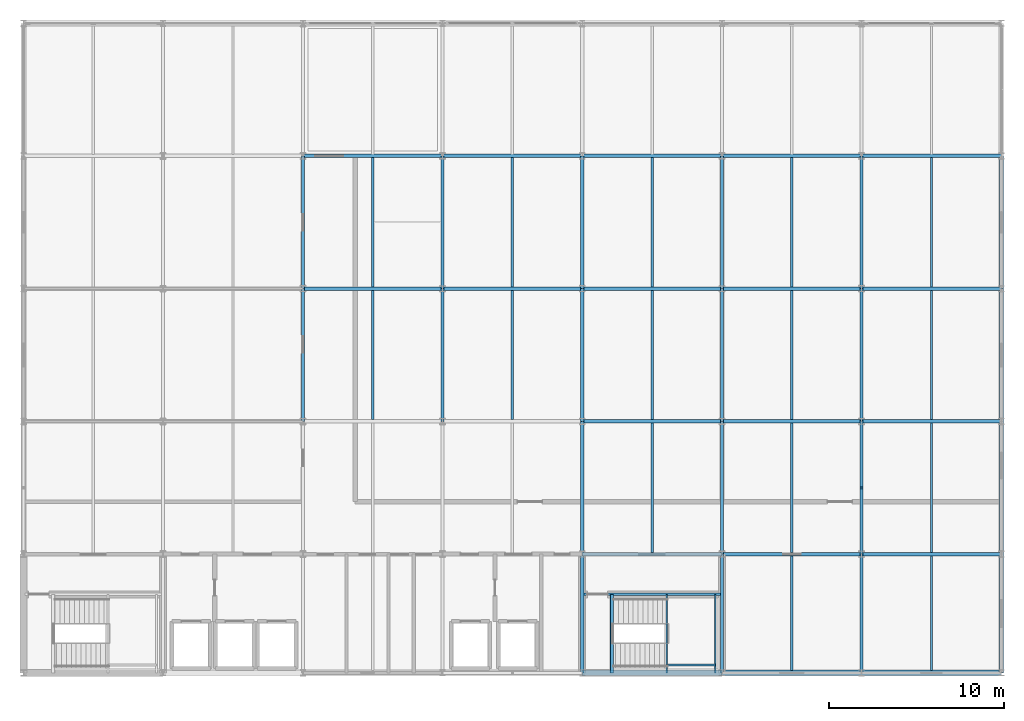
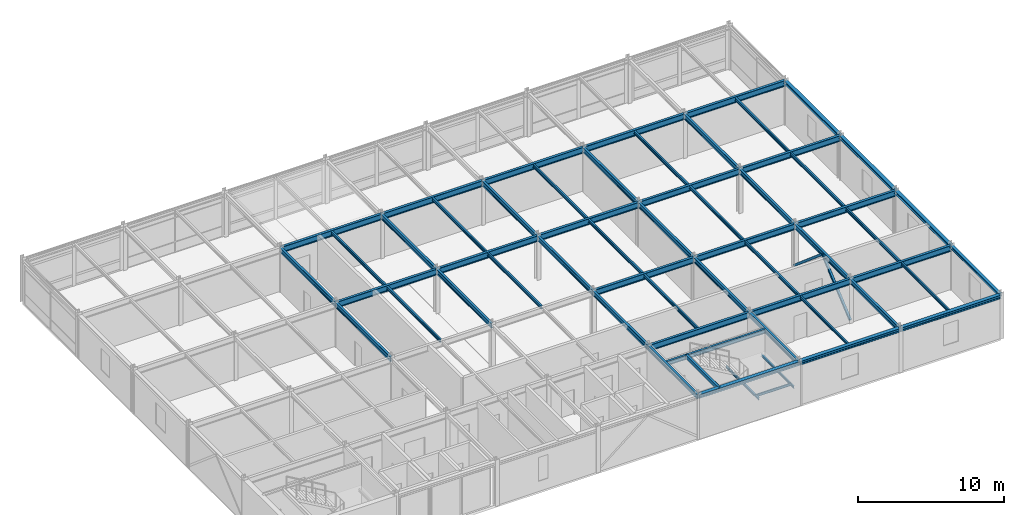
# One storey, part 6 of 16: 59 beams, 2 members.
"""IFC4 building model written with IfcOpenShell, lengths in metres."""

from ifc_helpers import new_model, si_unit, direction, frame, origin, origin_2d, place, context, subcontext, project, spatial, hollow_rectangle, i_section, extrude, material, material_profile, profile_set, type_object, element, save


model = new_model("IFC4")

# Units and contexts
model_context = context("Model", 3, precision=1e-05, world=origin(), true_north=direction((0.0, 1.0)))
body_context = subcontext(model_context, "Body", "Model", "MODEL_VIEW")
ifc_project = project(units=[si_unit("LENGTHUNIT", "METRE"), si_unit("AREAUNIT", "SQUARE_METRE"), si_unit("VOLUMEUNIT", "CUBIC_METRE"), si_unit("PLANEANGLEUNIT", "RADIAN"), si_unit("MASSUNIT", "GRAM", prefix="KILO")], contexts=[model_context])

# Site, building, storey
site_placement = place(None, origin())
site = spatial("IfcSite", under=ifc_project, at=site_placement, CompositionType="ELEMENT")
building_placement = place(site_placement, origin())
building = spatial("IfcBuilding", under=site, at=building_placement, Name="Shalkamar Park Central Library", CompositionType="ELEMENT")
storey_placement = place(building_placement, frame((0.0, 0.0, 43.800048828125)))
storey = spatial("IfcBuildingStorey", under=building, at=storey_placement, Name="L11", CompositionType="ELEMENT", Elevation=43.800048828125)

# Beams
ifc_material = material(Name="Steel S355", Category="steel")
ifc_material_profile_1 = material_profile(ifc_material, i_section(OverallWidth=0.10009765625, OverallDepth=0.199951171875, WebThickness=0.005615234375, FlangeThickness=0.008544921875, FilletRadius=0.011962890625, at=origin_2d()), Name="IPE 200")
ifc_profile_set_1 = profile_set([ifc_material_profile_1], Name="Steel S355")
beam_type_1 = type_object("IfcBeamType", Name="Composite Floor Joist IPE200", PredefinedType="JOIST", material=ifc_profile_set_1)
for number, where, z_axis, x_axis, name in (
    (1, (201.840087890625, 248.39990234375, 1.570068359375), (0.0, 1.0, 0.0), (-1.0, 0.0, 0.0), "Stair Half-Landing Beam ST-T2-L11-1"),
    (2, (204.6201171875, 248.39990234375, 1.570068359375), (0.0, 1.0, 0.0), (-1.0, 0.0, 0.0), "Stair Half-Landing Beam ST-T2-L11-2"),
):
    element("IfcBeam", number, at=place(storey_placement, frame(where, z_axis=z_axis, x_axis=x_axis)), inside=storey, type_object=beam_type_1, Name=name, PredefinedType="JOIST", context=body_context, shape_type="SweptSolid", body=[
        extrude(i_section(OverallWidth=0.10009765625, OverallDepth=0.199951171875, WebThickness=0.005615234375, FlangeThickness=0.008544921875, FilletRadius=0.011962890625, at=origin_2d()), origin(), (0.0, 0.0, 1.0), 4.5),
    ])
beam_1_placement = place(storey_placement, frame((201.840087890625, 248.85009765625, 1.570068359375), z_axis=(1.0, 0.0, 0.0), x_axis=(0.0, 1.0, 0.0)))
element("IfcBeam", 3, at=beam_1_placement, inside=storey, type_object=beam_type_1, Name="Stair Half-Landing Cross Tie ST-T2-L11-3", PredefinedType="JOIST", context=body_context, shape_type="SweptSolid", body=[
    extrude(i_section(OverallWidth=0.10009765625, OverallDepth=0.199951171875, WebThickness=0.005615234375, FlangeThickness=0.008544921875, FilletRadius=0.011962890625, at=origin_2d()), origin(), (0.0, 0.0, 1.0), 2.780029296875),
])
ifc_material_profile_2 = material_profile(ifc_material, i_section(OverallWidth=0.1201171875, OverallDepth=0.239990234375, WebThickness=0.006103515625, FlangeThickness=0.009765625, FilletRadius=0.014892578125, at=origin_2d()), Name="IPE 240")
ifc_profile_set_2 = profile_set([ifc_material_profile_2], Name="Steel S355")
beam_type_2 = type_object("IfcBeamType", Name="Composite Floor Joist IPE240", PredefinedType="JOIST", material=ifc_profile_set_2)
for number, where, z_axis, x_axis, name in (
    (4, (209.0, 248.548095703125, 3.56005859375), (0.0, 1.0, 0.0), (-1.0, 0.0, 0.0), "Composite Joist 12/B-1 (L11)"),
    (5, (217.0, 248.548095703125, 3.56005859375), (0.0, 1.0, 0.0), (-1.0, 0.0, 0.0), "Composite Joist 13/B-1 (L11)"),
):
    element("IfcBeam", number, at=place(storey_placement, frame(where, z_axis=z_axis, x_axis=x_axis)), inside=storey, type_object=beam_type_2, Name=name, PredefinedType="JOIST", context=body_context, shape_type="SweptSolid", body=[
        extrude(i_section(OverallWidth=0.1201171875, OverallDepth=0.239990234375, WebThickness=0.006103515625, FlangeThickness=0.009765625, FilletRadius=0.014892578125, at=origin_2d()), origin(), (0.0, 0.0, 1.0), 6.553955078125),
    ])
ifc_material_profile_3 = material_profile(ifc_material, i_section(OverallWidth=0.135009765625, OverallDepth=0.27001953125, WebThickness=0.006591796875, FlangeThickness=0.01025390625, FilletRadius=0.014892578125, at=origin_2d()), Name="IPE 270")
ifc_profile_set_3 = profile_set([ifc_material_profile_3], Name="Steel S355")
beam_type_3 = type_object("IfcBeamType", Name="Composite Floor Joist IPE270", PredefinedType="JOIST", material=ifc_profile_set_3)
for number, where, z_axis, x_axis, name in (
    (6, (185.0, 262.89794921875, 3.544921875), (0.0, 1.0, 0.0), (-1.0, 0.0, 0.0), "Composite Joist 09/D-1 (L11)"),
    (7, (185.0, 270.498046875, 3.544921875), (0.0, 1.0, 0.0), (-1.0, 0.0, 0.0), "Composite Joist 09/E-1 (L11)"),
    (8, (193.0, 262.89794921875, 3.544921875), (0.0, 1.0, 0.0), (-1.0, 0.0, 0.0), "Composite Joist 10/D-1 (L11)"),
    (9, (193.0, 270.498046875, 3.544921875), (0.0, 1.0, 0.0), (-1.0, 0.0, 0.0), "Composite Joist 10/E-1 (L11)"),
):
    element("IfcBeam", number, at=place(storey_placement, frame(where, z_axis=z_axis, x_axis=x_axis)), inside=storey, type_object=beam_type_3, Name=name, PredefinedType="JOIST", context=body_context, shape_type="SweptSolid", body=[
        extrude(i_section(OverallWidth=0.135009765625, OverallDepth=0.27001953125, WebThickness=0.006591796875, FlangeThickness=0.01025390625, FilletRadius=0.014892578125, at=origin_2d()), origin(), (0.0, 0.0, 1.0), 7.404052734375),
    ])
beam_2_placement = place(storey_placement, frame((201.0, 255.298095703125, 3.544921875), z_axis=(0.0, 1.0, 0.0), x_axis=(-1.0, 0.0, 0.0)))
element("IfcBeam", 10, at=beam_2_placement, inside=storey, type_object=beam_type_3, Name="Composite Joist 11/C-1 (L11)", PredefinedType="JOIST", context=body_context, shape_type="SweptSolid", body=[
    extrude(i_section(OverallWidth=0.135009765625, OverallDepth=0.27001953125, WebThickness=0.006591796875, FlangeThickness=0.01025390625, FilletRadius=0.014892578125, at=origin_2d()), origin(), (0.0, 0.0, 1.0), 7.40380859375),
])
for number, where, z_axis, x_axis, name in (
    (11, (201.0, 262.89794921875, 3.544921875), (0.0, 1.0, 0.0), (-1.0, 0.0, 0.0), "Composite Joist 11/D-1 (L11)"),
    (12, (201.0, 270.498046875, 3.544921875), (0.0, 1.0, 0.0), (-1.0, 0.0, 0.0), "Composite Joist 11/E-1 (L11)"),
):
    element("IfcBeam", number, at=place(storey_placement, frame(where, z_axis=z_axis, x_axis=x_axis)), inside=storey, type_object=beam_type_3, Name=name, PredefinedType="JOIST", context=body_context, shape_type="SweptSolid", body=[
        extrude(i_section(OverallWidth=0.135009765625, OverallDepth=0.27001953125, WebThickness=0.006591796875, FlangeThickness=0.01025390625, FilletRadius=0.014892578125, at=origin_2d()), origin(), (0.0, 0.0, 1.0), 7.404052734375),
    ])
beam_3_placement = place(storey_placement, frame((209.0, 255.298095703125, 3.544921875), z_axis=(0.0, 1.0, 0.0), x_axis=(-1.0, 0.0, 0.0)))
element("IfcBeam", 13, at=beam_3_placement, inside=storey, type_object=beam_type_3, Name="Composite Joist 12/C-1 (L11)", PredefinedType="JOIST", context=body_context, shape_type="SweptSolid", body=[
    extrude(i_section(OverallWidth=0.135009765625, OverallDepth=0.27001953125, WebThickness=0.006591796875, FlangeThickness=0.01025390625, FilletRadius=0.014892578125, at=origin_2d()), origin(), (0.0, 0.0, 1.0), 7.40380859375),
])
for number, where, z_axis, x_axis, name in (
    (14, (209.0, 262.89794921875, 3.544921875), (0.0, 1.0, 0.0), (-1.0, 0.0, 0.0), "Composite Joist 12/D-1 (L11)"),
    (15, (209.0, 270.498046875, 3.544921875), (0.0, 1.0, 0.0), (-1.0, 0.0, 0.0), "Composite Joist 12/E-1 (L11)"),
):
    element("IfcBeam", number, at=place(storey_placement, frame(where, z_axis=z_axis, x_axis=x_axis)), inside=storey, type_object=beam_type_3, Name=name, PredefinedType="JOIST", context=body_context, shape_type="SweptSolid", body=[
        extrude(i_section(OverallWidth=0.135009765625, OverallDepth=0.27001953125, WebThickness=0.006591796875, FlangeThickness=0.01025390625, FilletRadius=0.014892578125, at=origin_2d()), origin(), (0.0, 0.0, 1.0), 7.404052734375),
    ])
beam_4_placement = place(storey_placement, frame((217.0, 255.298095703125, 3.544921875), z_axis=(0.0, 1.0, 0.0), x_axis=(-1.0, 0.0, 0.0)))
element("IfcBeam", 16, at=beam_4_placement, inside=storey, type_object=beam_type_3, Name="Composite Joist 13/C-1 (L11)", PredefinedType="JOIST", context=body_context, shape_type="SweptSolid", body=[
    extrude(i_section(OverallWidth=0.135009765625, OverallDepth=0.27001953125, WebThickness=0.006591796875, FlangeThickness=0.01025390625, FilletRadius=0.014892578125, at=origin_2d()), origin(), (0.0, 0.0, 1.0), 7.40380859375),
])
for number, where, z_axis, x_axis, name in (
    (17, (217.0, 262.89794921875, 3.544921875), (0.0, 1.0, 0.0), (-1.0, 0.0, 0.0), "Composite Joist 13/D-1 (L11)"),
    (18, (217.0, 270.498046875, 3.544921875), (0.0, 1.0, 0.0), (-1.0, 0.0, 0.0), "Composite Joist 13/E-1 (L11)"),
):
    element("IfcBeam", number, at=place(storey_placement, frame(where, z_axis=z_axis, x_axis=x_axis)), inside=storey, type_object=beam_type_3, Name=name, PredefinedType="JOIST", context=body_context, shape_type="SweptSolid", body=[
        extrude(i_section(OverallWidth=0.135009765625, OverallDepth=0.27001953125, WebThickness=0.006591796875, FlangeThickness=0.01025390625, FilletRadius=0.014892578125, at=origin_2d()), origin(), (0.0, 0.0, 1.0), 7.404052734375),
    ])

# Members
ifc_material_profile_4 = material_profile(ifc_material, hollow_rectangle(XDim=0.179931640625, YDim=0.179931640625, WallThickness=0.010009765625, InnerFilletRadius=0.010009765625, OuterFilletRadius=0.014892578125, at=origin_2d()), Name="SHS 180x180x10")
ifc_profile_set_4 = profile_set([ifc_material_profile_4], Name="Steel S355")
member_type = type_object("IfcMemberType", Name="Diagonal Brace SHS180", PredefinedType="BRACE", material=ifc_profile_set_4)
for number, where, z_axis, x_axis, name in (
    (19, (213.0, 255.199951171875, 0.14990234375), (0.0, 0.761945356857, 0.647641315208), (-1.0, 0.0, 0.0), "Chevron Brace TW-E Leg A (L11)"),
    (20, (213.0, 262.800048828125, 0.14990234375), (0.0, -0.761945356857, 0.647641315208), (1.0, 0.0, 0.0), "Chevron Brace TW-E Leg B (L11)"),
):
    element("IfcMember", number, at=place(storey_placement, frame(where, z_axis=z_axis, x_axis=x_axis)), inside=storey, type_object=member_type, Name=name, PredefinedType="BRACE", context=body_context, shape_type="SweptSolid", body=[
        extrude(hollow_rectangle(XDim=0.179931640625, YDim=0.179931640625, WallThickness=0.010009765625, InnerFilletRadius=0.010009765625, OuterFilletRadius=0.014892578125, at=origin_2d()), origin(), (0.0, 0.0, 1.0), 4.9873046875),
    ])

# Beams
ifc_material_profile_5 = material_profile(ifc_material, i_section(OverallWidth=0.239990234375, OverallDepth=0.22998046875, WebThickness=0.007568359375, FlangeThickness=0.011962890625, FilletRadius=0.02099609375, at=origin_2d()), Name="HEA 240")
ifc_profile_set_5 = profile_set([ifc_material_profile_5], Name="Steel S355")
beam_type_4 = type_object("IfcBeamType", Name="Perimeter Spandrel Beam HEA240", PredefinedType="SPANDREL", material=ifc_profile_set_5)
beam_5_placement = place(storey_placement, frame((221.0, 248.39990234375, 3.56494140625), z_axis=(0.0, 1.0, 0.0), x_axis=(-1.0, 0.0, 0.0)))
element("IfcBeam", 21, at=beam_5_placement, inside=storey, type_object=beam_type_4, Name="Beam 14:B-C (L11)", PredefinedType="SPANDREL", context=body_context, shape_type="SweptSolid", body=[
    extrude(i_section(OverallWidth=0.239990234375, OverallDepth=0.22998046875, WebThickness=0.007568359375, FlangeThickness=0.011962890625, FilletRadius=0.02099609375, at=origin_2d()), origin(), (0.0, 0.0, 1.0), 6.800048828125),
])
ifc_material_profile_6 = material_profile(ifc_material, i_section(OverallWidth=0.280029296875, OverallDepth=0.27001953125, WebThickness=0.008056640625, FlangeThickness=0.012939453125, FilletRadius=0.02392578125, at=origin_2d()), Name="HEA 280")
ifc_profile_set_6 = profile_set([ifc_material_profile_6], Name="Steel S355")
beam_type_5 = type_object("IfcBeamType", Name="Perimeter Spandrel Beam HEA280", PredefinedType="SPANDREL", material=ifc_profile_set_6)
beam_6_placement = place(storey_placement, frame((221.0, 255.199951171875, 3.544921875), z_axis=(0.0, 1.0, 0.0), x_axis=(-1.0, 0.0, 0.0)))
element("IfcBeam", 22, at=beam_6_placement, inside=storey, type_object=beam_type_5, Name="Beam 14:C-D (L11)", PredefinedType="SPANDREL", context=body_context, shape_type="SweptSolid", body=[
    extrude(i_section(OverallWidth=0.280029296875, OverallDepth=0.27001953125, WebThickness=0.008056640625, FlangeThickness=0.012939453125, FilletRadius=0.02392578125, at=origin_2d()), origin(), (0.0, 0.0, 1.0), 7.60009765625),
])
beam_7_placement = place(storey_placement, frame((221.0, 262.800048828125, 3.544921875), z_axis=(0.0, 1.0, 0.0), x_axis=(-1.0, 0.0, 0.0)))
element("IfcBeam", 23, at=beam_7_placement, inside=storey, type_object=beam_type_5, Name="Beam 14:D-E (L11)", PredefinedType="SPANDREL", context=body_context, shape_type="SweptSolid", body=[
    extrude(i_section(OverallWidth=0.280029296875, OverallDepth=0.27001953125, WebThickness=0.008056640625, FlangeThickness=0.012939453125, FilletRadius=0.02392578125, at=origin_2d()), origin(), (0.0, 0.0, 1.0), 7.599853515625),
])
beam_8_placement = place(storey_placement, frame((221.0, 270.39990234375, 3.544921875), z_axis=(0.0, 1.0, 0.0), x_axis=(-1.0, 0.0, 0.0)))
element("IfcBeam", 24, at=beam_8_placement, inside=storey, type_object=beam_type_5, Name="Beam 14:E-F (L11)", PredefinedType="SPANDREL", context=body_context, shape_type="SweptSolid", body=[
    extrude(i_section(OverallWidth=0.280029296875, OverallDepth=0.27001953125, WebThickness=0.008056640625, FlangeThickness=0.012939453125, FilletRadius=0.02392578125, at=origin_2d()), origin(), (0.0, 0.0, 1.0), 7.60009765625),
])
ifc_material_profile_7 = material_profile(ifc_material, i_section(OverallWidth=0.300048828125, OverallDepth=0.31005859375, WebThickness=0.009033203125, FlangeThickness=0.015380859375, FilletRadius=0.027099609375, at=origin_2d()), Name="HEA 320")
ifc_profile_set_7 = profile_set([ifc_material_profile_7], Name="Steel S355")
beam_type_6 = type_object("IfcBeamType", Name="Perimeter Spandrel Beam HEA320", PredefinedType="SPANDREL", material=ifc_profile_set_7)
for number, where, z_axis, x_axis, name in (
    (25, (197.0, 248.39990234375, 3.52490234375), (1.0, 0.0, 0.0), (0.0, 1.0, 0.0), "Beam B:11-12 (L11)"),
    (26, (205.0, 248.39990234375, 3.52490234375), (1.0, 0.0, 0.0), (0.0, 1.0, 0.0), "Beam B:12-13 (L11)"),
    (27, (213.0, 248.39990234375, 3.52490234375), (1.0, 0.0, 0.0), (0.0, 1.0, 0.0), "Beam B:13-14 (L11)"),
):
    element("IfcBeam", number, at=place(storey_placement, frame(where, z_axis=z_axis, x_axis=x_axis)), inside=storey, type_object=beam_type_6, Name=name, PredefinedType="SPANDREL", context=body_context, shape_type="SweptSolid", body=[
        extrude(i_section(OverallWidth=0.300048828125, OverallDepth=0.31005859375, WebThickness=0.009033203125, FlangeThickness=0.015380859375, FilletRadius=0.027099609375, at=origin_2d()), origin(), (0.0, 0.0, 1.0), 8.0),
    ])
ifc_material_profile_8 = material_profile(ifc_material, i_section(OverallWidth=0.169921875, OverallDepth=0.360107421875, WebThickness=0.008056640625, FlangeThickness=0.0126953125, FilletRadius=0.01806640625, at=origin_2d()), Name="IPE 360")
ifc_profile_set_8 = profile_set([ifc_material_profile_8], Name="Steel S355")
beam_type_7 = type_object("IfcBeamType", Name="Primary Girder IPE360", PredefinedType="BEAM", material=ifc_profile_set_8)
beam_9_placement = place(storey_placement, frame((197.087890625, 252.89990234375, 3.5), z_axis=(1.0, 0.0, 0.0), x_axis=(0.0, 1.0, 0.0)))
element("IfcBeam", 28, at=beam_9_placement, inside=storey, type_object=beam_type_7, Name="CORE-T2 Stairwell Divider Beam (L11)", PredefinedType="BEAM", context=body_context, shape_type="SweptSolid", body=[
    extrude(i_section(OverallWidth=0.169921875, OverallDepth=0.360107421875, WebThickness=0.008056640625, FlangeThickness=0.0126953125, FilletRadius=0.01806640625, at=origin_2d()), origin(), (0.0, 0.0, 1.0), 7.82421875),
])
ifc_material_profile_9 = material_profile(ifc_material, i_section(OverallWidth=0.179931640625, OverallDepth=0.39990234375, WebThickness=0.008544921875, FlangeThickness=0.013427734375, FilletRadius=0.02099609375, at=origin_2d()), Name="IPE 400")
ifc_profile_set_9 = profile_set([ifc_material_profile_9], Name="Steel S355")
beam_type_8 = type_object("IfcBeamType", Name="Primary Girder IPE400", PredefinedType="BEAM", material=ifc_profile_set_9)
beam_10_placement = place(storey_placement, frame((181.0, 262.800048828125, 3.47998046875), z_axis=(0.0, 1.0, 0.0), x_axis=(-1.0, 0.0, 0.0)))
element("IfcBeam", 29, at=beam_10_placement, inside=storey, type_object=beam_type_8, Name="Beam 09:D-E (L11)", PredefinedType="BEAM", context=body_context, shape_type="SweptSolid", body=[
    extrude(i_section(OverallWidth=0.179931640625, OverallDepth=0.39990234375, WebThickness=0.008544921875, FlangeThickness=0.013427734375, FilletRadius=0.02099609375, at=origin_2d()), origin(), (0.0, 0.0, 1.0), 7.599853515625),
])
beam_11_placement = place(storey_placement, frame((181.0, 270.39990234375, 3.47998046875), z_axis=(0.0, 1.0, 0.0), x_axis=(-1.0, 0.0, 0.0)))
element("IfcBeam", 30, at=beam_11_placement, inside=storey, type_object=beam_type_8, Name="Beam 09:E-F (L11)", PredefinedType="BEAM", context=body_context, shape_type="SweptSolid", body=[
    extrude(i_section(OverallWidth=0.179931640625, OverallDepth=0.39990234375, WebThickness=0.008544921875, FlangeThickness=0.013427734375, FilletRadius=0.02099609375, at=origin_2d()), origin(), (0.0, 0.0, 1.0), 7.60009765625),
])
beam_12_placement = place(storey_placement, frame((189.0, 262.800048828125, 3.47998046875), z_axis=(0.0, 1.0, 0.0), x_axis=(-1.0, 0.0, 0.0)))
element("IfcBeam", 31, at=beam_12_placement, inside=storey, type_object=beam_type_8, Name="Beam 10:D-E (L11)", PredefinedType="BEAM", context=body_context, shape_type="SweptSolid", body=[
    extrude(i_section(OverallWidth=0.179931640625, OverallDepth=0.39990234375, WebThickness=0.008544921875, FlangeThickness=0.013427734375, FilletRadius=0.02099609375, at=origin_2d()), origin(), (0.0, 0.0, 1.0), 7.599853515625),
])
beam_13_placement = place(storey_placement, frame((189.0, 270.39990234375, 3.47998046875), z_axis=(0.0, 1.0, 0.0), x_axis=(-1.0, 0.0, 0.0)))
element("IfcBeam", 32, at=beam_13_placement, inside=storey, type_object=beam_type_8, Name="Beam 10:E-F (L11)", PredefinedType="BEAM", context=body_context, shape_type="SweptSolid", body=[
    extrude(i_section(OverallWidth=0.179931640625, OverallDepth=0.39990234375, WebThickness=0.008544921875, FlangeThickness=0.013427734375, FilletRadius=0.02099609375, at=origin_2d()), origin(), (0.0, 0.0, 1.0), 7.60009765625),
])
beam_14_placement = place(storey_placement, frame((197.0, 248.39990234375, 3.47998046875), z_axis=(0.0, 1.0, 0.0), x_axis=(-1.0, 0.0, 0.0)))
element("IfcBeam", 33, at=beam_14_placement, inside=storey, type_object=beam_type_8, Name="Beam 11:B-C (L11)", PredefinedType="BEAM", context=body_context, shape_type="SweptSolid", body=[
    extrude(i_section(OverallWidth=0.179931640625, OverallDepth=0.39990234375, WebThickness=0.008544921875, FlangeThickness=0.013427734375, FilletRadius=0.02099609375, at=origin_2d()), origin(), (0.0, 0.0, 1.0), 6.800048828125),
])
beam_15_placement = place(storey_placement, frame((197.0, 255.199951171875, 3.47998046875), z_axis=(0.0, 1.0, 0.0), x_axis=(-1.0, 0.0, 0.0)))
element("IfcBeam", 34, at=beam_15_placement, inside=storey, type_object=beam_type_8, Name="Beam 11:C-D (L11)", PredefinedType="BEAM", context=body_context, shape_type="SweptSolid", body=[
    extrude(i_section(OverallWidth=0.179931640625, OverallDepth=0.39990234375, WebThickness=0.008544921875, FlangeThickness=0.013427734375, FilletRadius=0.02099609375, at=origin_2d()), origin(), (0.0, 0.0, 1.0), 7.60009765625),
])
beam_16_placement = place(storey_placement, frame((197.0, 262.800048828125, 3.47998046875), z_axis=(0.0, 1.0, 0.0), x_axis=(-1.0, 0.0, 0.0)))
element("IfcBeam", 35, at=beam_16_placement, inside=storey, type_object=beam_type_8, Name="Beam 11:D-E (L11)", PredefinedType="BEAM", context=body_context, shape_type="SweptSolid", body=[
    extrude(i_section(OverallWidth=0.179931640625, OverallDepth=0.39990234375, WebThickness=0.008544921875, FlangeThickness=0.013427734375, FilletRadius=0.02099609375, at=origin_2d()), origin(), (0.0, 0.0, 1.0), 7.599853515625),
])
beam_17_placement = place(storey_placement, frame((197.0, 270.39990234375, 3.47998046875), z_axis=(0.0, 1.0, 0.0), x_axis=(-1.0, 0.0, 0.0)))
element("IfcBeam", 36, at=beam_17_placement, inside=storey, type_object=beam_type_8, Name="Beam 11:E-F (L11)", PredefinedType="BEAM", context=body_context, shape_type="SweptSolid", body=[
    extrude(i_section(OverallWidth=0.179931640625, OverallDepth=0.39990234375, WebThickness=0.008544921875, FlangeThickness=0.013427734375, FilletRadius=0.02099609375, at=origin_2d()), origin(), (0.0, 0.0, 1.0), 7.60009765625),
])
beam_18_placement = place(storey_placement, frame((205.0, 248.39990234375, 3.47998046875), z_axis=(0.0, 1.0, 0.0), x_axis=(-1.0, 0.0, 0.0)))
element("IfcBeam", 37, at=beam_18_placement, inside=storey, type_object=beam_type_8, Name="Beam 12:B-C (L11)", PredefinedType="BEAM", context=body_context, shape_type="SweptSolid", body=[
    extrude(i_section(OverallWidth=0.179931640625, OverallDepth=0.39990234375, WebThickness=0.008544921875, FlangeThickness=0.013427734375, FilletRadius=0.02099609375, at=origin_2d()), origin(), (0.0, 0.0, 1.0), 6.800048828125),
])
beam_19_placement = place(storey_placement, frame((205.0, 255.199951171875, 3.47998046875), z_axis=(0.0, 1.0, 0.0), x_axis=(-1.0, 0.0, 0.0)))
element("IfcBeam", 38, at=beam_19_placement, inside=storey, type_object=beam_type_8, Name="Beam 12:C-D (L11)", PredefinedType="BEAM", context=body_context, shape_type="SweptSolid", body=[
    extrude(i_section(OverallWidth=0.179931640625, OverallDepth=0.39990234375, WebThickness=0.008544921875, FlangeThickness=0.013427734375, FilletRadius=0.02099609375, at=origin_2d()), origin(), (0.0, 0.0, 1.0), 7.60009765625),
])
beam_20_placement = place(storey_placement, frame((205.0, 262.800048828125, 3.47998046875), z_axis=(0.0, 1.0, 0.0), x_axis=(-1.0, 0.0, 0.0)))
element("IfcBeam", 39, at=beam_20_placement, inside=storey, type_object=beam_type_8, Name="Beam 12:D-E (L11)", PredefinedType="BEAM", context=body_context, shape_type="SweptSolid", body=[
    extrude(i_section(OverallWidth=0.179931640625, OverallDepth=0.39990234375, WebThickness=0.008544921875, FlangeThickness=0.013427734375, FilletRadius=0.02099609375, at=origin_2d()), origin(), (0.0, 0.0, 1.0), 7.599853515625),
])
beam_21_placement = place(storey_placement, frame((205.0, 270.39990234375, 3.47998046875), z_axis=(0.0, 1.0, 0.0), x_axis=(-1.0, 0.0, 0.0)))
element("IfcBeam", 40, at=beam_21_placement, inside=storey, type_object=beam_type_8, Name="Beam 12:E-F (L11)", PredefinedType="BEAM", context=body_context, shape_type="SweptSolid", body=[
    extrude(i_section(OverallWidth=0.179931640625, OverallDepth=0.39990234375, WebThickness=0.008544921875, FlangeThickness=0.013427734375, FilletRadius=0.02099609375, at=origin_2d()), origin(), (0.0, 0.0, 1.0), 7.60009765625),
])
beam_22_placement = place(storey_placement, frame((213.0, 248.39990234375, 3.47998046875), z_axis=(0.0, 1.0, 0.0), x_axis=(-1.0, 0.0, 0.0)))
element("IfcBeam", 41, at=beam_22_placement, inside=storey, type_object=beam_type_8, Name="Beam 13:B-C (L11)", PredefinedType="BEAM", context=body_context, shape_type="SweptSolid", body=[
    extrude(i_section(OverallWidth=0.179931640625, OverallDepth=0.39990234375, WebThickness=0.008544921875, FlangeThickness=0.013427734375, FilletRadius=0.02099609375, at=origin_2d()), origin(), (0.0, 0.0, 1.0), 6.800048828125),
])
beam_23_placement = place(storey_placement, frame((213.0, 255.199951171875, 3.47998046875), z_axis=(0.0, 1.0, 0.0), x_axis=(-1.0, 0.0, 0.0)))
element("IfcBeam", 42, at=beam_23_placement, inside=storey, type_object=beam_type_8, Name="Beam 13:C-D (L11)", PredefinedType="BEAM", context=body_context, shape_type="SweptSolid", body=[
    extrude(i_section(OverallWidth=0.179931640625, OverallDepth=0.39990234375, WebThickness=0.008544921875, FlangeThickness=0.013427734375, FilletRadius=0.02099609375, at=origin_2d()), origin(), (0.0, 0.0, 1.0), 7.60009765625),
])
beam_24_placement = place(storey_placement, frame((213.0, 262.800048828125, 3.47998046875), z_axis=(0.0, 1.0, 0.0), x_axis=(-1.0, 0.0, 0.0)))
element("IfcBeam", 43, at=beam_24_placement, inside=storey, type_object=beam_type_8, Name="Beam 13:D-E (L11)", PredefinedType="BEAM", context=body_context, shape_type="SweptSolid", body=[
    extrude(i_section(OverallWidth=0.179931640625, OverallDepth=0.39990234375, WebThickness=0.008544921875, FlangeThickness=0.013427734375, FilletRadius=0.02099609375, at=origin_2d()), origin(), (0.0, 0.0, 1.0), 7.599853515625),
])
beam_25_placement = place(storey_placement, frame((213.0, 270.39990234375, 3.47998046875), z_axis=(0.0, 1.0, 0.0), x_axis=(-1.0, 0.0, 0.0)))
element("IfcBeam", 44, at=beam_25_placement, inside=storey, type_object=beam_type_8, Name="Beam 13:E-F (L11)", PredefinedType="BEAM", context=body_context, shape_type="SweptSolid", body=[
    extrude(i_section(OverallWidth=0.179931640625, OverallDepth=0.39990234375, WebThickness=0.008544921875, FlangeThickness=0.013427734375, FilletRadius=0.02099609375, at=origin_2d()), origin(), (0.0, 0.0, 1.0), 7.60009765625),
])
ifc_material_profile_10 = material_profile(ifc_material, i_section(OverallWidth=0.199951171875, OverallDepth=0.5, WebThickness=0.01025390625, FlangeThickness=0.01611328125, FilletRadius=0.02099609375, at=origin_2d()), Name="IPE 500")
ifc_profile_set_10 = profile_set([ifc_material_profile_10], Name="Steel S355")
beam_type_9 = type_object("IfcBeamType", Name="Primary Girder IPE500", PredefinedType="BEAM", material=ifc_profile_set_10)
for number, where, z_axis, x_axis, name in (
    (45, (197.0, 255.199951171875, 3.429931640625), (1.0, 0.0, 0.0), (0.0, 1.0, 0.0), "Beam C:11-12 (L11)"),
    (46, (205.0, 255.199951171875, 3.429931640625), (1.0, 0.0, 0.0), (0.0, 1.0, 0.0), "Beam C:12-13 (L11)"),
    (47, (213.0, 255.199951171875, 3.429931640625), (1.0, 0.0, 0.0), (0.0, 1.0, 0.0), "Beam C:13-14 (L11)"),
    (48, (197.0, 262.800048828125, 3.429931640625), (1.0, 0.0, 0.0), (0.0, 1.0, 0.0), "Beam D:11-12 (L11)"),
    (49, (205.0, 262.800048828125, 3.429931640625), (1.0, 0.0, 0.0), (0.0, 1.0, 0.0), "Beam D:12-13 (L11)"),
    (50, (213.0, 262.800048828125, 3.429931640625), (1.0, 0.0, 0.0), (0.0, 1.0, 0.0), "Beam D:13-14 (L11)"),
    (51, (181.0, 270.39990234375, 3.429931640625), (1.0, 0.0, 0.0), (0.0, 1.0, 0.0), "Beam E:09-10 (L11)"),
    (52, (189.0, 270.39990234375, 3.429931640625), (1.0, 0.0, 0.0), (0.0, 1.0, 0.0), "Beam E:10-11 (L11)"),
    (53, (197.0, 270.39990234375, 3.429931640625), (1.0, 0.0, 0.0), (0.0, 1.0, 0.0), "Beam E:11-12 (L11)"),
    (54, (205.0, 270.39990234375, 3.429931640625), (1.0, 0.0, 0.0), (0.0, 1.0, 0.0), "Beam E:12-13 (L11)"),
    (55, (213.0, 270.39990234375, 3.429931640625), (1.0, 0.0, 0.0), (0.0, 1.0, 0.0), "Beam E:13-14 (L11)"),
    (56, (181.0, 278.0, 3.429931640625), (1.0, 0.0, 0.0), (0.0, 1.0, 0.0), "Beam F:09-10 (L11)"),
    (57, (189.0, 278.0, 3.429931640625), (1.0, 0.0, 0.0), (0.0, 1.0, 0.0), "Beam F:10-11 (L11)"),
    (58, (197.0, 278.0, 3.429931640625), (1.0, 0.0, 0.0), (0.0, 1.0, 0.0), "Beam F:11-12 (L11)"),
    (59, (205.0, 278.0, 3.429931640625), (1.0, 0.0, 0.0), (0.0, 1.0, 0.0), "Beam F:12-13 (L11)"),
    (60, (213.0, 278.0, 3.429931640625), (1.0, 0.0, 0.0), (0.0, 1.0, 0.0), "Beam F:13-14 (L11)"),
):
    element("IfcBeam", number, at=place(storey_placement, frame(where, z_axis=z_axis, x_axis=x_axis)), inside=storey, type_object=beam_type_9, Name=name, PredefinedType="BEAM", context=body_context, shape_type="SweptSolid", body=[
        extrude(i_section(OverallWidth=0.199951171875, OverallDepth=0.5, WebThickness=0.01025390625, FlangeThickness=0.01611328125, FilletRadius=0.02099609375, at=origin_2d()), origin(), (0.0, 0.0, 1.0), 8.0),
    ])
ifc_material_profile_11 = material_profile(ifc_material, hollow_rectangle(XDim=0.199951171875, YDim=0.300048828125, WallThickness=0.011962890625, InnerFilletRadius=0.011962890625, OuterFilletRadius=0.01806640625, at=origin_2d()), Name="RHS 300x200x12")
ifc_profile_set_11 = profile_set([ifc_material_profile_11], Name="Steel S355")
beam_type_10 = type_object("IfcBeamType", Name="Stair Trimmer Box RHS300x200", PredefinedType="BEAM", material=ifc_profile_set_11)
beam_26_placement = place(storey_placement, frame((198.699951171875, 248.39990234375, 3.530029296875), z_axis=(0.0, 1.0, 0.0), x_axis=(-1.0, 0.0, 0.0)))
element("IfcBeam", 61, at=beam_26_placement, inside=storey, type_object=beam_type_10, Name="Stair Arrival Trimmer Girder ST-T2-L11", PredefinedType="BEAM", context=body_context, shape_type="SweptSolid", body=[
    extrude(hollow_rectangle(XDim=0.199951171875, YDim=0.300048828125, WallThickness=0.011962890625, InnerFilletRadius=0.011962890625, OuterFilletRadius=0.01806640625, at=origin_2d()), origin(), (0.0, 0.0, 1.0), 4.5),
])

save(model, "model.ifc")
